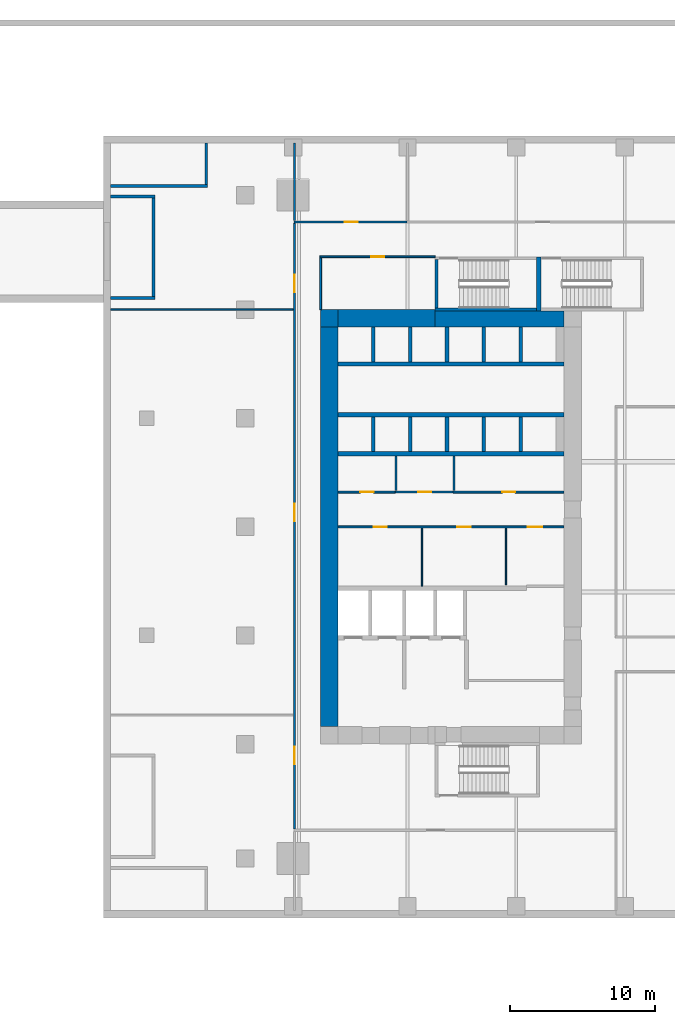
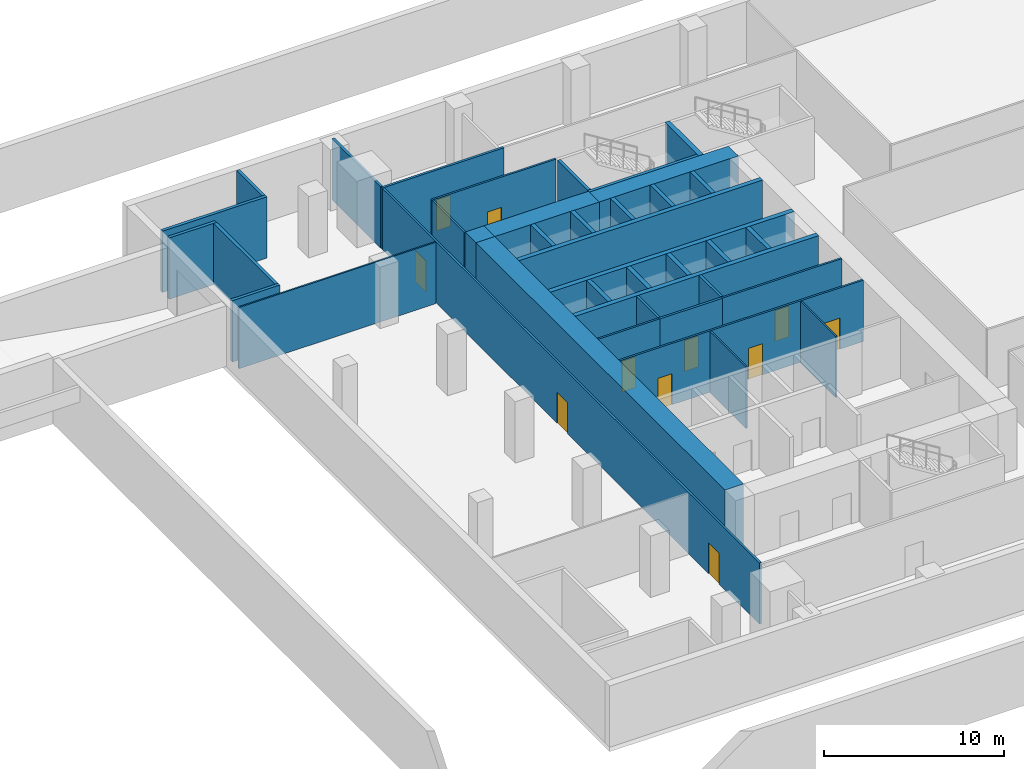
# One storey, part 4 of 11: 39 walls, 11 doors, 11 openings.
"""IFC4 building model written with IfcOpenShell, lengths in metres."""

import ifcopenshell
import ifcopenshell.guid

model = None  # the IFC model being written
_history = None  # IfcOwnerHistory: only IFC2X3 demands one
_inside = {}  # id of a spatial element -> (the spatial element, [elements in it])
_under = {}  # id of a project, library or spatial element -> (it, [spatial elements below it])
_declared = {}  # id of a project -> (the project, [libraries it declares])
_typed = {}  # id of a type object -> (the type object, [elements of that type])
_made_of = {}  # id of a material, layer set ... -> (it, [elements and type objects made of it])


def new_model(schema):
    """Start an empty IFC model of exactly this schema.

    Asked for "IFC4X3", IfcOpenShell would pick the latest addendum, in which some entities
    have other attributes; the version numbers below select the first issue.
    IFC2X3 requires an IfcOwnerHistory on every rooted entity: one is made here for all.
    """
    global model, _history
    if schema == "IFC4X3":
        model = ifcopenshell.file(schema_version=(4, 3, 0, 0))
    else:
        model = ifcopenshell.file(schema=schema)
    _inside.clear()
    _under.clear()
    _declared.clear()
    _typed.clear()
    _made_of.clear()
    _history = None
    if model.schema == "IFC2X3":
        org = make("IfcOrganization", Name="unknown")
        user = make(
            "IfcPersonAndOrganization",
            ThePerson=make("IfcPerson", FamilyName="unknown"),
            TheOrganization=org,
        )
        app = make(
            "IfcApplication",
            ApplicationDeveloper=org,
            Version="unknown",
            ApplicationFullName="unknown",
            ApplicationIdentifier="unknown",
        )
        _history = make(
            "IfcOwnerHistory",
            OwningUser=user,
            OwningApplication=app,
            ChangeAction="ADDED",
            CreationDate=0,
        )
    return model


def make(cls, **values):
    """One entity of the class cls with the attributes given. An attribute that is None is left unset."""
    return model.create_entity(
        cls, **{name: value for name, value in values.items() if value is not None}
    )


def rooted(cls, **values):
    """An entity with a GlobalId (a new one), such as an element, a storey or a relation."""
    return make(cls, GlobalId=ifcopenshell.guid.new(), OwnerHistory=_history, **values)


def si_unit(unit_type, name, prefix=None):
    """IfcSIUnit, for example si_unit("LENGTHUNIT", "METRE", prefix="MILLI")."""
    return make("IfcSIUnit", UnitType=unit_type, Prefix=prefix, Name=name)


def assignment(units):
    """IfcUnitAssignment: the units of a project."""
    return None if units is None else make("IfcUnitAssignment", Units=units)


def point(xyz):
    """IfcCartesianPoint."""
    return None if xyz is None else make("IfcCartesianPoint", Coordinates=xyz)


def direction(xyz):
    """IfcDirection."""
    return None if xyz is None else make("IfcDirection", DirectionRatios=xyz)


def frame(location, z_axis=None, x_axis=None):
    """IfcAxis2Placement3D, a coordinate frame: its origin and axes. An axis left out is left unset."""
    return make(
        "IfcAxis2Placement3D",
        Location=point(location),
        Axis=direction(z_axis),
        RefDirection=direction(x_axis),
    )


def frame_2d(location, x_axis=None):
    """IfcAxis2Placement2D, a coordinate frame in the plane: its origin and x axis."""
    return make(
        "IfcAxis2Placement2D", Location=point(location), RefDirection=direction(x_axis)
    )


def origin():
    """The frame at (0, 0, 0) with its axes left unset."""
    return frame((0.0, 0.0, 0.0))


def place(relative_to, where):
    """IfcLocalPlacement: puts the frame where relative to a parent placement (None: the world)."""
    return make(
        "IfcLocalPlacement", PlacementRelTo=relative_to, RelativePlacement=where
    )


def context(
    kind, dimensions, precision=None, world=None, true_north=None, identifier=None
):
    """IfcGeometricRepresentationContext, for example the 3D "Model" context."""
    return make(
        "IfcGeometricRepresentationContext",
        ContextIdentifier=identifier,
        ContextType=kind,
        CoordinateSpaceDimension=dimensions,
        Precision=precision,
        WorldCoordinateSystem=world,
        TrueNorth=true_north,
    )


def subcontext(parent, identifier, kind, view, scale=None):
    """IfcGeometricRepresentationSubContext, for example "Body" below "Model"."""
    return make(
        "IfcGeometricRepresentationSubContext",
        ContextIdentifier=identifier,
        ContextType=kind,
        ParentContext=parent,
        TargetScale=scale,
        TargetView=view,
    )


def project(units=None, contexts=None):
    """IfcProject with its units and contexts."""
    return rooted(
        "IfcProject",
        Name="project",
        RepresentationContexts=contexts,
        UnitsInContext=assignment(units),
    )


def spatial(cls, under=None, at=None, **own):
    """A site, building, storey or space (cls), placed at a placement, below another one or the project."""
    s = rooted(cls, ObjectPlacement=at, **own)
    if under is not None:
        _under.setdefault(under.id(), (under, []))[1].append(s)
    return s


def profile(cls, at=None, kind="AREA", **sizes):
    """A parametric profile (cls). Its sizes go by their IFC names, for example OverallWidth=200.0."""
    return make(cls, ProfileType=kind, Position=at, **sizes)


def rectangle(**sizes):
    """IfcRectangleProfileDef."""
    return profile("IfcRectangleProfileDef", **sizes)


def extrude(swept, where, along, depth):
    """IfcExtrudedAreaSolid: the profile swept, set in the frame where, extruded along a direction by depth."""
    return make(
        "IfcExtrudedAreaSolid",
        SweptArea=swept,
        Position=where,
        ExtrudedDirection=direction(along),
        Depth=depth,
    )


def shape(context_of_items, identifier, shape_type, items):
    """IfcShapeRepresentation: the items that make up one representation, for example the "Body"."""
    return make(
        "IfcShapeRepresentation",
        ContextOfItems=context_of_items,
        RepresentationIdentifier=identifier,
        RepresentationType=shape_type,
        Items=items,
    )


def source(mapping_origin, context_of_items, identifier, shape_type, items):
    """IfcRepresentationMap: a shape defined once, which mapped items show again and again."""
    return make(
        "IfcRepresentationMap",
        MappingOrigin=mapping_origin,
        MappedRepresentation=shape(context_of_items, identifier, shape_type, items),
    )


def transform(
    local_origin,
    x_axis=None,
    y_axis=None,
    z_axis=None,
    scale=None,
    scale2=None,
    scale3=None,
    uniform=True,
):
    """IfcCartesianTransformationOperator3D, or its non-uniform kind. x_axis, y_axis, z_axis: its Axis1, 2, 3."""
    if uniform:
        return make(
            "IfcCartesianTransformationOperator3D",
            Axis1=direction(x_axis),
            Axis2=direction(y_axis),
            LocalOrigin=point(local_origin),
            Scale=scale,
            Axis3=direction(z_axis),
        )
    return make(
        "IfcCartesianTransformationOperator3DnonUniform",
        Axis1=direction(x_axis),
        Axis2=direction(y_axis),
        LocalOrigin=point(local_origin),
        Scale=scale,
        Axis3=direction(z_axis),
        Scale2=scale2,
        Scale3=scale3,
    )


def mapped(mapping_source, mapping_target):
    """IfcMappedItem: shows the shape of a source again, moved by a transform."""
    return make(
        "IfcMappedItem", MappingSource=mapping_source, MappingTarget=mapping_target
    )


def material(Name=None, Category=None):
    """IfcMaterial."""
    return make("IfcMaterial", Name=Name, Category=Category)


def layer(
    of_material, thickness, ventilated=None, Name=None, Category=None, Priority=None
):
    """IfcMaterialLayer: one layer of a wall or slab, of a material (None: an air gap)."""
    return make(
        "IfcMaterialLayer",
        Material=of_material,
        LayerThickness=thickness,
        IsVentilated=ventilated,
        Name=Name,
        Category=Category,
        Priority=Priority,
    )


def layer_set(layers, Name=None):
    """IfcMaterialLayerSet."""
    return make("IfcMaterialLayerSet", MaterialLayers=layers, LayerSetName=Name)


def made_of(thing, what):
    """Note that an element or type object is made of a material, layer set ...; save() writes the relation."""
    if what is not None:
        _made_of.setdefault(what.id(), (what, []))[1].append(thing)
    return thing


def type_object(cls, material=None, **own):
    """A type object (cls), such as IfcWallType, which elements share."""
    return made_of(rooted(cls, **own), material)


def element(
    cls,
    number,
    at=None,
    inside=None,
    cuts=None,
    type_object=None,
    material=None,
    context=None,
    identifier="Body",
    shape_type=None,
    held_by="IfcProductDefinitionShape",
    body=None,
    shapes=None,
    **own,
):
    """One element of the class cls, such as IfcWall. Its Tag is "e" and its number.

    at: its placement. inside: the storey or other place that contains it. cuts: it is an
    opening in that element (IfcRelVoidsElement). A single representation is given by context,
    identifier, shape_type and body (its items); several are given by shapes. held_by: the class
    of the entity that holds the representations. save() writes the other relations.
    """
    e = rooted(cls, Tag="e%d" % number, ObjectPlacement=at, **own)
    if body is not None:
        shapes = [shape(context, identifier, shape_type, body)]
    if shapes is not None:
        e.Representation = make(held_by, Representations=shapes)
    if inside is not None:
        _inside.setdefault(inside.id(), (inside, []))[1].append(e)
    if cuts is not None:
        rooted(
            "IfcRelVoidsElement", RelatingBuildingElement=cuts, RelatedOpeningElement=e
        )
    if type_object is not None:
        _typed.setdefault(type_object.id(), (type_object, []))[1].append(e)
    return made_of(e, material)


def fill(opening, filler):
    """IfcRelFillsElement: the door or window that sits in an opening."""
    return rooted(
        "IfcRelFillsElement",
        RelatingOpeningElement=opening,
        RelatedBuildingElement=filler,
    )


def aggregate(whole, parts):
    """IfcRelAggregates: a whole, such as a stair, and the parts it consists of."""
    return rooted("IfcRelAggregates", RelatingObject=whole, RelatedObjects=parts)


def save(model, path):
    """Write the relations noted so far, then the file.

    IfcRelAggregates (storeys below a building ...), IfcRelContainedInSpatialStructure (elements
    in a storey), IfcRelDefinesByType, IfcRelAssociatesMaterial and IfcRelDeclares: one each for
    every whole, place, type object, material and project.
    """
    for whole, parts in _under.values():
        aggregate(whole, parts)
    for where, things in _inside.values():
        rooted(
            "IfcRelContainedInSpatialStructure",
            RelatedElements=things,
            RelatingStructure=where,
        )
    for kind, things in _typed.values():
        rooted("IfcRelDefinesByType", RelatedObjects=things, RelatingType=kind)
    for what, things in _made_of.values():
        rooted("IfcRelAssociatesMaterial", RelatedObjects=things, RelatingMaterial=what)
    for by, libraries in _declared.values():
        rooted("IfcRelDeclares", RelatingContext=by, RelatedDefinitions=libraries)
    model.write(path)


model = new_model("IFC4")

# Units and contexts
model_context = context("Model", 3, precision=1e-05, world=origin(), true_north=direction((0.0, 1.0)))
body_context = subcontext(model_context, "Body", "Model", "MODEL_VIEW")
ifc_project = project(units=[si_unit("LENGTHUNIT", "METRE"), si_unit("AREAUNIT", "SQUARE_METRE"), si_unit("VOLUMEUNIT", "CUBIC_METRE"), si_unit("PLANEANGLEUNIT", "RADIAN"), si_unit("MASSUNIT", "GRAM", prefix="KILO")], contexts=[model_context])

# Site, building, storey
site_placement = place(None, origin())
site = spatial("IfcSite", under=ifc_project, at=site_placement, CompositionType="ELEMENT")
building_placement = place(site_placement, origin())
building = spatial("IfcBuilding", under=site, at=building_placement, Name="Khomas Fold Tower", CompositionType="ELEMENT")
storey_placement = place(building_placement, frame((0.0, 0.0, -4.5)))
storey = spatial("IfcBuildingStorey", under=building, at=storey_placement, Name="B1", CompositionType="ELEMENT", Elevation=-4.5)

# Walls
ifc_material_1 = material(Name="Concrete C70/85", Category="concrete")
ifc_layer_1 = layer(ifc_material_1, 1.199951171875)
ifc_layer_set_1 = layer_set([ifc_layer_1], Name="Concrete C70/85")
wall_type_1 = type_object("IfcWallType", Name="Core wall 1200", PredefinedType="SHEAR", material=ifc_layer_set_1)
shared_shape_1 = source(origin(), body_context, "Body", "SweptSolid", [
    extrude(rectangle(XDim=6.699951171875, YDim=1.199951171875, at=frame_2d((3.35009765625, 0.0))), origin(), (0.0, 0.0, 1.0), 4.14990234375),
])
wall_1_placement = place(storey_placement, frame((7.199951171875, 41.39990234375, 0.0), z_axis=(0.0, 0.0, 1.0), x_axis=(1.0, 0.0, 0.0)))
element("IfcWall", 1, at=wall_1_placement, inside=storey, type_object=wall_type_1, Name="Core wall CW-L-N-B2", PredefinedType="SHEAR", context=body_context, shape_type="MappedRepresentation", body=[
    mapped(shared_shape_1, transform((0.0, 0.0, 0.0))),
])
ifc_material_2 = material(Name="Concrete C70/85", Category="concrete")
ifc_layer_2 = layer(ifc_material_2, 1.10009765625)
ifc_layer_set_2 = layer_set([ifc_layer_2], Name="Concrete C70/85")
wall_type_2 = type_object("IfcWallType", Name="Core wall 1100", PredefinedType="SHEAR", material=ifc_layer_set_2)
shared_shape_2 = source(origin(), body_context, "Body", "SweptSolid", [
    extrude(rectangle(XDim=8.900146484375, YDim=1.10009765625, at=frame_2d((4.4501953125, 0.0))), origin(), (0.0, 0.0, 1.0), 4.14990234375),
])
wall_2_placement = place(storey_placement, frame((13.89990234375, 41.35009765625, 0.0), z_axis=(0.0, 0.0, 1.0), x_axis=(1.0, 0.0, 0.0)))
element("IfcWall", 2, at=wall_2_placement, inside=storey, type_object=wall_type_2, Name="Core wall CW-L-N-B2-1", PredefinedType="SHEAR", context=body_context, shape_type="MappedRepresentation", body=[
    mapped(shared_shape_2, transform((0.0, 0.0, 0.0))),
])
ifc_material_3 = material(Name="Concrete C70/85", Category="concrete")
ifc_layer_3 = layer(ifc_material_3, 1.199951171875)
ifc_layer_set_3 = layer_set([ifc_layer_3], Name="Concrete C70/85")
wall_type_3 = type_object("IfcWallType", Name="Core corner wall 1200", PredefinedType="SHEAR", material=ifc_layer_set_3)
shared_shape_3 = source(origin(), body_context, "Body", "SweptSolid", [
    extrude(rectangle(XDim=1.199951171875, YDim=1.199951171875, at=frame_2d((0.60009765625, 0.0))), origin(), (0.0, 0.0, 1.0), 4.14990234375),
])
wall_3_placement = place(storey_placement, frame((6.0, 41.39990234375, 0.0), z_axis=(0.0, 0.0, 1.0), x_axis=(1.0, 0.0, 0.0)))
element("IfcWall", 3, at=wall_3_placement, inside=storey, type_object=wall_type_3, Name="Core wall CW-L-NW-B2", PredefinedType="SHEAR", context=body_context, shape_type="MappedRepresentation", body=[
    mapped(shared_shape_3, transform((0.0, 0.0, 0.0))),
])
shared_shape_4 = source(origin(), body_context, "Body", "SweptSolid", [
    extrude(rectangle(XDim=27.60009765625, YDim=1.199951171875, at=frame_2d((13.800048828125, 0.0))), origin(), (0.0, 0.0, 1.0), 4.14990234375),
])
wall_4_placement = place(storey_placement, frame((6.60009765625, 13.199951171875, 0.0), z_axis=(0.0, 0.0, 1.0), x_axis=(0.0, 1.0, 0.0)))
element("IfcWall", 4, at=wall_4_placement, inside=storey, type_object=wall_type_1, Name="Core wall CW-L-W-B2", PredefinedType="SHEAR", context=body_context, shape_type="MappedRepresentation", body=[
    mapped(shared_shape_4, transform((0.0, 0.0, 0.0))),
])
ifc_material_4 = material(Name="Concrete C50/60", Category="concrete")
ifc_layer_4 = layer(ifc_material_4, 0.199951171875)
ifc_layer_set_4 = layer_set([ifc_layer_4], Name="Concrete C50/60")
wall_type_4 = type_object("IfcWallType", Name="Stair wall 200", PredefinedType="SHEAR", material=ifc_layer_set_4)
shared_shape_5 = source(origin(), body_context, "Body", "SweptSolid", [
    extrude(rectangle(XDim=7.0, YDim=0.199951171875, at=frame_2d((3.5, 0.0))), origin(), (0.0, 0.0, 1.0), 4.14990234375),
])
wall_5_placement = place(storey_placement, frame((13.89990234375, 42.0, 0.0), z_axis=(0.0, 0.0, 1.0), x_axis=(1.0, 0.0, 0.0)))
element("IfcWall", 5, at=wall_5_placement, inside=storey, type_object=wall_type_4, Name="Stair wall SW-ST1-S", PredefinedType="SHEAR", context=body_context, shape_type="MappedRepresentation", body=[
    mapped(shared_shape_5, transform((0.0, 0.0, 0.0))),
])
ifc_material_5 = material(Name="Concrete C50/60", Category="concrete")
ifc_layer_5 = layer(ifc_material_5, 0.300048828125)
ifc_layer_set_5 = layer_set([ifc_layer_5], Name="Concrete C50/60")
wall_type_5 = type_object("IfcWallType", Name="Stair wall 300", PredefinedType="SHEAR", material=ifc_layer_set_5)
shared_shape_6 = source(origin(), body_context, "Body", "SweptSolid", [
    extrude(rectangle(XDim=3.75, YDim=0.300048828125, at=frame_2d((1.875, 0.0))), origin(), (0.0, 0.0, 1.0), 4.14990234375),
])
wall_6_placement = place(storey_placement, frame((21.050048828125, 41.89990234375, 0.0), z_axis=(0.0, 0.0, 1.0), x_axis=(0.0, 1.0, 0.0)))
element("IfcWall", 6, at=wall_6_placement, inside=storey, type_object=wall_type_5, Name="Stair wall SW-ST1-E", PredefinedType="SHEAR", context=body_context, shape_type="MappedRepresentation", body=[
    mapped(shared_shape_6, transform((0.0, 0.0, 0.0))),
])
shared_shape_7 = source(origin(), body_context, "Body", "SweptSolid", [
    extrude(rectangle(XDim=3.349853515625, YDim=0.199951171875, at=frame_2d((1.6748046875, 0.0))), origin(), (0.0, 0.0, 1.0), 4.14990234375),
])
wall_7_placement = place(storey_placement, frame((14.0, 42.10009765625, 0.0), z_axis=(0.0, 0.0, 1.0), x_axis=(0.0, 1.0, 0.0)))
element("IfcWall", 7, at=wall_7_placement, inside=storey, type_object=wall_type_4, Name="Stair wall SW-ST1-W", PredefinedType="SHEAR", context=body_context, shape_type="MappedRepresentation", body=[
    mapped(shared_shape_7, transform((0.0, 0.0, 0.0))),
])
ifc_material_6 = material(Name="Concrete C50/60", Category="concrete")
ifc_layer_6 = layer(ifc_material_6, 0.300048828125)
ifc_layer_set_6 = layer_set([ifc_layer_6], Name="Concrete C50/60")
wall_type_6 = type_object("IfcWallType", Name="Shaft wall 300", PredefinedType="STANDARD", material=ifc_layer_set_6)
shared_shape_8 = source(origin(), body_context, "Body", "SweptSolid", [
    extrude(rectangle(XDim=15.60009765625, YDim=0.300048828125, at=frame_2d((7.800048828125, 0.0))), origin(), (0.0, 0.0, 1.0), 4.14990234375),
])
for number, where, z_axis, x_axis, name in (
    (8, (7.199951171875, 32.050048828125, 0.0), (0.0, 0.0, 1.0), (1.0, 0.0, 0.0), "Core wall SW-HRN-B"),
    (9, (7.199951171875, 38.25, 0.0), (0.0, 0.0, 1.0), (1.0, 0.0, 0.0), "Core wall SW-LRN-F"),
    (10, (7.199951171875, 34.75, 0.0), (0.0, 0.0, 1.0), (1.0, 0.0, 0.0), "Core wall SW-LRS-F"),
):
    element("IfcWall", number, at=place(storey_placement, frame(where, z_axis=z_axis, x_axis=x_axis)), inside=storey, type_object=wall_type_6, Name=name, PredefinedType="STANDARD", context=body_context, shape_type="MappedRepresentation", body=[
        mapped(shared_shape_8, transform((0.0, 0.0, 0.0))),
    ])
ifc_material_7 = material(Name="Concrete C50/60", Category="concrete")
ifc_layer_7 = layer(ifc_material_7, 0.25)
ifc_layer_set_7 = layer_set([ifc_layer_7], Name="Concrete C50/60")
wall_type_7 = type_object("IfcWallType", Name="Shaft wall 250", PredefinedType="STANDARD", material=ifc_layer_set_7)
shared_shape_9 = source(origin(), body_context, "Body", "SweptSolid", [
    extrude(rectangle(XDim=2.400146484375, YDim=0.25, at=frame_2d((1.2001953125, 0.0))), origin(), (0.0, 0.0, 1.0), 4.14990234375),
])
for number, where, z_axis, x_axis, name in (
    (11, (9.625, 38.39990234375, 0.0), (0.0, 0.0, 1.0), (0.0, 1.0, 0.0), "Core wall SW-LRN-P1"),
    (12, (12.175048828125, 38.39990234375, 0.0), (0.0, 0.0, 1.0), (0.0, 1.0, 0.0), "Core wall SW-LRN-P2"),
    (13, (14.72509765625, 38.39990234375, 0.0), (0.0, 0.0, 1.0), (0.0, 1.0, 0.0), "Core wall SW-LRN-P3"),
    (14, (17.27490234375, 38.39990234375, 0.0), (0.0, 0.0, 1.0), (0.0, 1.0, 0.0), "Core wall SW-LRN-P4"),
    (15, (19.824951171875, 38.39990234375, 0.0), (0.0, 0.0, 1.0), (0.0, 1.0, 0.0), "Core wall SW-LRN-P5"),
    (16, (9.625, 32.199951171875, 0.0), (0.0, 0.0, 1.0), (0.0, 1.0, 0.0), "Core wall SW-LRS-P1"),
    (17, (12.175048828125, 32.199951171875, 0.0), (0.0, 0.0, 1.0), (0.0, 1.0, 0.0), "Core wall SW-LRS-P2"),
    (18, (14.72509765625, 32.199951171875, 0.0), (0.0, 0.0, 1.0), (0.0, 1.0, 0.0), "Core wall SW-LRS-P3"),
    (19, (17.27490234375, 32.199951171875, 0.0), (0.0, 0.0, 1.0), (0.0, 1.0, 0.0), "Core wall SW-LRS-P4"),
    (20, (19.824951171875, 32.199951171875, 0.0), (0.0, 0.0, 1.0), (0.0, 1.0, 0.0), "Core wall SW-LRS-P5"),
):
    element("IfcWall", number, at=place(storey_placement, frame(where, z_axis=z_axis, x_axis=x_axis)), inside=storey, type_object=wall_type_7, Name=name, PredefinedType="STANDARD", context=body_context, shape_type="MappedRepresentation", body=[
        mapped(shared_shape_9, transform((0.0, 0.0, 0.0))),
    ])

# Wall, openings, doors
ifc_material_8 = material(Name="Plasterboard partition")
ifc_layer_8 = layer(ifc_material_8, 0.125)
ifc_layer_set_8 = layer_set([ifc_layer_8], Name="Plasterboard partition")
wall_type_8 = type_object("IfcWallType", Name="Partition PW2 125", PredefinedType="PARTITIONING", material=ifc_layer_set_8)
shared_shape_10 = source(origin(), body_context, "Body", "SweptSolid", [
    extrude(rectangle(XDim=41.800048828125, YDim=0.125, at=frame_2d((20.89990234375, 0.0))), origin(), (0.0, 0.0, 1.0), 4.14990234375),
])
wall_8_placement = place(storey_placement, frame((4.199951171875, 6.14990234375, 0.0), z_axis=(0.0, 0.0, 1.0), x_axis=(0.0, 1.0, 0.0)))
wall_8 = element("IfcWall", 21, at=wall_8_placement, inside=storey, type_object=wall_type_8, Name="Partition", PredefinedType="PARTITIONING", context=body_context, shape_type="MappedRepresentation", body=[
    mapped(shared_shape_10, transform((0.0, 0.0, 0.0))),
])
shared_shape_11 = source(origin(), body_context, "Body", "SweptSolid", [
    extrude(rectangle(XDim=1.199951171875, YDim=2.10009765625, at=frame_2d((0.60009765625, 1.050048828125))), frame((0.0, 0.072509765625, 0.0), z_axis=(0.0, -1.0, 0.0), x_axis=(1.0, 0.0, 0.0)), (0.0, 0.0, 1.0), 0.14501953125),
])
opening_1_placement = place(wall_8_placement, frame((4.449951171875, 0.0, 0.0)))
opening_1 = element("IfcOpeningElement", 22, at=opening_1_placement, cuts=wall_8, Name="Opening 0001", PredefinedType="OPENING", context=body_context, shape_type="MappedRepresentation", body=[
    mapped(shared_shape_11, transform((0.0, 0.0, 0.0))),
])
opening_2_placement = place(wall_8_placement, frame((21.25, 0.0, 0.0)))
opening_2 = element("IfcOpeningElement", 23, at=opening_2_placement, cuts=wall_8, Name="Opening 0013", PredefinedType="OPENING", context=body_context, shape_type="MappedRepresentation", body=[
    mapped(shared_shape_11, transform((0.0, 0.0, 0.0))),
])
opening_3_placement = place(wall_8_placement, frame((37.050048828125, 0.0, 0.0)))
opening_3 = element("IfcOpeningElement", 24, at=opening_3_placement, cuts=wall_8, Name="Opening 0001", PredefinedType="OPENING", context=body_context, shape_type="MappedRepresentation", body=[
    mapped(shared_shape_11, transform((0.0, 0.0, 0.0))),
])
ifc_material_9 = material(Name="Timber door leaf", Category="wood")
door_type_1 = type_object("IfcDoorType", Name="Door 1200x2100 right-hand", OperationType="SINGLE_SWING_RIGHT", PredefinedType="DOOR", material=ifc_material_9)
shared_shape_12 = source(origin(), body_context, "Body", "SweptSolid", [
    extrude(rectangle(XDim=1.199951171875, YDim=2.10009765625, at=frame_2d((0.60009765625, 1.050048828125))), frame((0.0, 0.02490234375, 0.0), z_axis=(0.0, -1.0, 0.0), x_axis=(1.0, 0.0, 0.0)), (0.0, 0.0, 1.0), 0.050048828125),
])
door_1_placement = place(opening_1_placement, origin())
door_1 = element("IfcDoor", 25, at=door_1_placement, inside=storey, type_object=door_type_1, Name="Door", OperationType="SINGLE_SWING_RIGHT", OverallHeight=2.10009765625, OverallWidth=1.199951171875, PredefinedType="DOOR", context=body_context, shape_type="MappedRepresentation", body=[
    mapped(shared_shape_12, transform((0.0, 0.0, 0.0))),
])
fill(opening_1, door_1)
ifc_material_10 = material(Name="Timber door leaf", Category="wood")
door_type_2 = type_object("IfcDoorType", Name="Door 1200x2100 left-hand", OperationType="SINGLE_SWING_LEFT", PredefinedType="DOOR", material=ifc_material_10)
door_2_placement = place(opening_2_placement, origin())
door_2 = element("IfcDoor", 26, at=door_2_placement, inside=storey, type_object=door_type_2, Name="Door", OperationType="SINGLE_SWING_LEFT", OverallHeight=2.10009765625, OverallWidth=1.199951171875, PredefinedType="DOOR", context=body_context, shape_type="MappedRepresentation", body=[
    mapped(shared_shape_12, transform((0.0, 0.0, 0.0))),
])
fill(opening_2, door_2)
door_3_placement = place(opening_3_placement, origin())
door_3 = element("IfcDoor", 27, at=door_3_placement, inside=storey, type_object=door_type_1, Name="Door", OperationType="SINGLE_SWING_RIGHT", OverallHeight=2.10009765625, OverallWidth=1.199951171875, PredefinedType="DOOR", context=body_context, shape_type="MappedRepresentation", body=[
    mapped(shared_shape_12, transform((0.0, 0.0, 0.0))),
])
fill(opening_3, door_3)

# Walls
ifc_material_11 = material(Name="Plasterboard partition")
ifc_layer_9 = layer(ifc_material_11, 0.10009765625)
ifc_layer_set_9 = layer_set([ifc_layer_9], Name="Plasterboard partition")
wall_type_9 = type_object("IfcWallType", Name="Partition PW1 100", PredefinedType="PARTITIONING", material=ifc_layer_set_9)
shared_shape_13 = source(origin(), body_context, "Body", "SweptSolid", [
    extrude(rectangle(XDim=12.60009765625, YDim=0.10009765625, at=frame_2d((6.300048828125, 0.0))), origin(), (0.0, 0.0, 1.0), 4.14990234375),
])
wall_9_placement = place(storey_placement, frame((-8.5, 42.0, 0.0), z_axis=(0.0, 0.0, 1.0), x_axis=(1.0, 0.0, 0.0)))
element("IfcWall", 28, at=wall_9_placement, inside=storey, type_object=wall_type_9, Name="Partition", PredefinedType="PARTITIONING", context=body_context, shape_type="MappedRepresentation", body=[
    mapped(shared_shape_13, transform((0.0, 0.0, 0.0))),
])
shared_shape_14 = source(origin(), body_context, "Body", "SweptSolid", [
    extrude(rectangle(XDim=4.0, YDim=0.10009765625, at=frame_2d((2.0, 0.0))), origin(), (0.0, 0.0, 1.0), 4.14990234375),
])
wall_10_placement = place(storey_placement, frame((13.0, 22.89990234375, 0.0), z_axis=(0.0, 0.0, 1.0), x_axis=(0.0, 1.0, 0.0)))
element("IfcWall", 29, at=wall_10_placement, inside=storey, type_object=wall_type_9, Name="Partition", PredefinedType="PARTITIONING", context=body_context, shape_type="MappedRepresentation", body=[
    mapped(shared_shape_14, transform((0.0, 0.0, 0.0))),
])
shared_shape_15 = source(origin(), body_context, "Body", "SweptSolid", [
    extrude(rectangle(XDim=3.89990234375, YDim=0.10009765625, at=frame_2d((1.949951171875, 0.0))), origin(), (0.0, 0.0, 1.0), 4.14990234375),
])
wall_11_placement = place(storey_placement, frame((18.800048828125, 23.0, 0.0), z_axis=(0.0, 0.0, 1.0), x_axis=(0.0, 1.0, 0.0)))
element("IfcWall", 30, at=wall_11_placement, inside=storey, type_object=wall_type_9, Name="Partition", PredefinedType="PARTITIONING", context=body_context, shape_type="MappedRepresentation", body=[
    mapped(shared_shape_15, transform((0.0, 0.0, 0.0))),
])

# Wall, openings, doors
shared_shape_16 = source(origin(), body_context, "Body", "SweptSolid", [
    extrude(rectangle(XDim=15.60009765625, YDim=0.125, at=frame_2d((7.800048828125, 0.0))), origin(), (0.0, 0.0, 1.0), 4.14990234375),
])
wall_12_placement = place(storey_placement, frame((7.199951171875, 27.0, 0.0), z_axis=(0.0, 0.0, 1.0), x_axis=(1.0, 0.0, 0.0)))
wall_12 = element("IfcWall", 31, at=wall_12_placement, inside=storey, type_object=wall_type_8, Name="Partition", PredefinedType="PARTITIONING", context=body_context, shape_type="MappedRepresentation", body=[
    mapped(shared_shape_16, transform((0.0, 0.0, 0.0))),
])
shared_shape_17 = source(origin(), body_context, "Body", "SweptSolid", [
    extrude(rectangle(XDim=0.89990234375, YDim=2.10009765625, at=frame_2d((0.449951171875, 1.050048828125))), frame((0.0, 0.072509765625, 0.0), z_axis=(0.0, -1.0, 0.0), x_axis=(1.0, 0.0, 0.0)), (0.0, 0.0, 1.0), 0.14501953125),
])
opening_4_placement = place(wall_12_placement, frame((2.449951171875, 0.0, 0.0)))
opening_4 = element("IfcOpeningElement", 32, at=opening_4_placement, cuts=wall_12, Name="Opening 0005", PredefinedType="OPENING", context=body_context, shape_type="MappedRepresentation", body=[
    mapped(shared_shape_17, transform((0.0, 0.0, 0.0))),
])
opening_5_placement = place(wall_12_placement, frame((8.25, 0.0, 0.0)))
opening_5 = element("IfcOpeningElement", 33, at=opening_5_placement, cuts=wall_12, Name="Opening 0004", PredefinedType="OPENING", context=body_context, shape_type="MappedRepresentation", body=[
    mapped(shared_shape_17, transform((0.0, 0.0, 0.0))),
])
shared_shape_18 = source(origin(), body_context, "Body", "SweptSolid", [
    extrude(rectangle(XDim=1.0, YDim=2.10009765625, at=frame_2d((0.5, 1.050048828125))), frame((0.0, 0.072509765625, 0.0), z_axis=(0.0, -1.0, 0.0), x_axis=(1.0, 0.0, 0.0)), (0.0, 0.0, 1.0), 0.14501953125),
])
opening_6_placement = place(wall_12_placement, frame((13.10009765625, 0.0, 0.0)))
opening_6 = element("IfcOpeningElement", 34, at=opening_6_placement, cuts=wall_12, Name="Opening 0014", PredefinedType="OPENING", context=body_context, shape_type="MappedRepresentation", body=[
    mapped(shared_shape_18, transform((0.0, 0.0, 0.0))),
])
ifc_material_12 = material(Name="Timber door leaf", Category="wood")
door_type_3 = type_object("IfcDoorType", Name="WC door 900x2100 left-hand", OperationType="SINGLE_SWING_LEFT", PredefinedType="DOOR", material=ifc_material_12)
shared_shape_19 = source(origin(), body_context, "Body", "SweptSolid", [
    extrude(rectangle(XDim=0.89990234375, YDim=2.10009765625, at=frame_2d((0.449951171875, 1.050048828125))), frame((0.0, 0.02490234375, 0.0), z_axis=(0.0, -1.0, 0.0), x_axis=(1.0, 0.0, 0.0)), (0.0, 0.0, 1.0), 0.050048828125),
])
door_4_placement = place(opening_4_placement, origin())
door_4 = element("IfcDoor", 35, at=door_4_placement, inside=storey, type_object=door_type_3, Name="WC door", OperationType="SINGLE_SWING_LEFT", OverallHeight=2.10009765625, OverallWidth=0.89990234375, PredefinedType="DOOR", context=body_context, shape_type="MappedRepresentation", body=[
    mapped(shared_shape_19, transform((0.0, 0.0, 0.0))),
])
fill(opening_4, door_4)
ifc_material_13 = material(Name="Timber door leaf", Category="wood")
door_type_4 = type_object("IfcDoorType", Name="WC door 900x2100 right-hand", OperationType="SINGLE_SWING_RIGHT", PredefinedType="DOOR", material=ifc_material_13)
door_5_placement = place(opening_5_placement, origin())
door_5 = element("IfcDoor", 36, at=door_5_placement, inside=storey, type_object=door_type_4, Name="WC door", OperationType="SINGLE_SWING_RIGHT", OverallHeight=2.10009765625, OverallWidth=0.89990234375, PredefinedType="DOOR", context=body_context, shape_type="MappedRepresentation", body=[
    mapped(shared_shape_19, transform((0.0, 0.0, 0.0))),
])
fill(opening_5, door_5)
ifc_material_14 = material(Name="Timber door leaf", Category="wood")
door_type_5 = type_object("IfcDoorType", Name="WC door 1000x2100 left-hand", OperationType="SINGLE_SWING_LEFT", PredefinedType="DOOR", material=ifc_material_14)
shared_shape_20 = source(origin(), body_context, "Body", "SweptSolid", [
    extrude(rectangle(XDim=1.0, YDim=2.10009765625, at=frame_2d((0.5, 1.050048828125))), frame((0.0, 0.02490234375, 0.0), z_axis=(0.0, -1.0, 0.0), x_axis=(1.0, 0.0, 0.0)), (0.0, 0.0, 1.0), 0.050048828125),
])
door_6_placement = place(opening_6_placement, origin())
door_6 = element("IfcDoor", 37, at=door_6_placement, inside=storey, type_object=door_type_5, Name="WC door", OperationType="SINGLE_SWING_LEFT", OverallHeight=2.10009765625, OverallWidth=1.0, PredefinedType="DOOR", context=body_context, shape_type="MappedRepresentation", body=[
    mapped(shared_shape_20, transform((0.0, 0.0, 0.0))),
])
fill(opening_6, door_6)

# Wall, opening, door
shared_shape_21 = source(origin(), body_context, "Body", "SweptSolid", [
    extrude(rectangle(XDim=3.949951171875, YDim=0.125, at=frame_2d((1.97509765625, 0.0))), origin(), (0.0, 0.0, 1.0), 4.14990234375),
])
wall_13_placement = place(storey_placement, frame((7.199951171875, 29.39990234375, 0.0), z_axis=(0.0, 0.0, 1.0), x_axis=(1.0, 0.0, 0.0)))
wall_13 = element("IfcWall", 38, at=wall_13_placement, inside=storey, type_object=wall_type_8, Name="Partition", PredefinedType="PARTITIONING", context=body_context, shape_type="MappedRepresentation", body=[
    mapped(shared_shape_21, transform((0.0, 0.0, 0.0))),
])
opening_7_placement = place(wall_13_placement, frame((1.550048828125, 0.0, 0.0)))
opening_7 = element("IfcOpeningElement", 39, at=opening_7_placement, cuts=wall_13, Name="Opening 0007", PredefinedType="OPENING", context=body_context, shape_type="MappedRepresentation", body=[
    mapped(shared_shape_17, transform((0.0, 0.0, 0.0))),
])
ifc_material_15 = material(Name="Timber door leaf", Category="wood")
door_type_6 = type_object("IfcDoorType", Name="Door 900x2100 left-hand", OperationType="SINGLE_SWING_LEFT", PredefinedType="DOOR", material=ifc_material_15)
door_7_placement = place(opening_7_placement, origin())
door_7 = element("IfcDoor", 40, at=door_7_placement, inside=storey, type_object=door_type_6, Name="Door", OperationType="SINGLE_SWING_LEFT", OverallHeight=2.10009765625, OverallWidth=0.89990234375, PredefinedType="DOOR", context=body_context, shape_type="MappedRepresentation", body=[
    mapped(shared_shape_19, transform((0.0, 0.0, 0.0))),
])
fill(opening_7, door_7)

ifc_material_16 = material(Name="Plasterboard fire partition")
ifc_layer_10 = layer(ifc_material_16, 0.14990234375)
ifc_layer_set_10 = layer_set([ifc_layer_10], Name="Plasterboard fire partition")
wall_type_10 = type_object("IfcWallType", Name="Plant room wall PW3 150", PredefinedType="PARTITIONING", material=ifc_layer_set_10)
shared_shape_22 = source(origin(), body_context, "Body", "SweptSolid", [
    extrude(rectangle(XDim=4.0, YDim=0.14990234375, at=frame_2d((2.0, 0.0))), origin(), (0.0, 0.0, 1.0), 4.14990234375),
])
wall_14_placement = place(storey_placement, frame((11.14990234375, 29.39990234375, 0.0), z_axis=(0.0, 0.0, 1.0), x_axis=(1.0, 0.0, 0.0)))
wall_14 = element("IfcWall", 41, at=wall_14_placement, inside=storey, type_object=wall_type_10, Name="Plant room wall", PredefinedType="PARTITIONING", context=body_context, shape_type="MappedRepresentation", body=[
    mapped(shared_shape_22, transform((0.0, 0.0, 0.0))),
])
shared_shape_23 = source(origin(), body_context, "Body", "SweptSolid", [
    extrude(rectangle(XDim=0.89990234375, YDim=2.10009765625, at=frame_2d((0.449951171875, 1.050048828125))), frame((0.0, 0.0849609375, 0.0), z_axis=(0.0, -1.0, 0.0), x_axis=(1.0, 0.0, 0.0)), (0.0, 0.0, 1.0), 0.169921875),
])
opening_8_placement = place(wall_14_placement, frame((1.60009765625, 0.0, 0.0)))
opening_8 = element("IfcOpeningElement", 42, at=opening_8_placement, cuts=wall_14, Name="Opening 0003", PredefinedType="OPENING", context=body_context, shape_type="MappedRepresentation", body=[
    mapped(shared_shape_23, transform((0.0, 0.0, 0.0))),
])
ifc_material_17 = material(Name="Steel door leaf", Category="steel")
door_type_7 = type_object("IfcDoorType", Name="Plant room door 900x2100 right-hand", OperationType="SINGLE_SWING_RIGHT", PredefinedType="DOOR", material=ifc_material_17)
door_8_placement = place(opening_8_placement, origin())
door_8 = element("IfcDoor", 43, at=door_8_placement, inside=storey, type_object=door_type_7, Name="Plant room door", OperationType="SINGLE_SWING_RIGHT", OverallHeight=2.10009765625, OverallWidth=0.89990234375, PredefinedType="DOOR", context=body_context, shape_type="MappedRepresentation", body=[
    mapped(shared_shape_19, transform((0.0, 0.0, 0.0))),
])
fill(opening_8, door_8)

shared_shape_24 = source(origin(), body_context, "Body", "SweptSolid", [
    extrude(rectangle(XDim=7.650146484375, YDim=0.125, at=frame_2d((3.8251953125, 0.0))), origin(), (0.0, 0.0, 1.0), 4.14990234375),
])
wall_15_placement = place(storey_placement, frame((15.14990234375, 29.39990234375, 0.0), z_axis=(0.0, 0.0, 1.0), x_axis=(1.0, 0.0, 0.0)))
wall_15 = element("IfcWall", 44, at=wall_15_placement, inside=storey, type_object=wall_type_8, Name="Partition", PredefinedType="PARTITIONING", context=body_context, shape_type="MappedRepresentation", body=[
    mapped(shared_shape_24, transform((0.0, 0.0, 0.0))),
])
opening_9_placement = place(wall_15_placement, frame((3.39990234375, 0.0, 0.0)))
opening_9 = element("IfcOpeningElement", 45, at=opening_9_placement, cuts=wall_15, Name="Opening 0007", PredefinedType="OPENING", context=body_context, shape_type="MappedRepresentation", body=[
    mapped(shared_shape_17, transform((0.0, 0.0, 0.0))),
])
door_9_placement = place(opening_9_placement, origin())
door_9 = element("IfcDoor", 46, at=door_9_placement, inside=storey, type_object=door_type_6, Name="Door", OperationType="SINGLE_SWING_LEFT", OverallHeight=2.10009765625, OverallWidth=0.89990234375, PredefinedType="DOOR", context=body_context, shape_type="MappedRepresentation", body=[
    mapped(shared_shape_19, transform((0.0, 0.0, 0.0))),
])
fill(opening_9, door_9)

# Walls
shared_shape_25 = source(origin(), body_context, "Body", "SweptSolid", [
    extrude(rectangle(XDim=2.39990234375, YDim=0.14990234375, at=frame_2d((1.199951171875, 0.0))), origin(), (0.0, 0.0, 1.0), 4.14990234375),
])
for number, where, z_axis, x_axis, name in (
    (47, (11.199951171875, 29.5, 0.0), (0.0, 0.0, 1.0), (0.0, 1.0, 0.0), "Plant room wall"),
    (48, (15.199951171875, 29.5, 0.0), (0.0, 0.0, 1.0), (0.0, 1.0, 0.0), "Plant room wall"),
):
    element("IfcWall", number, at=place(storey_placement, frame(where, z_axis=z_axis, x_axis=x_axis)), inside=storey, type_object=wall_type_10, Name=name, PredefinedType="PARTITIONING", context=body_context, shape_type="MappedRepresentation", body=[
        mapped(shared_shape_25, transform((0.0, 0.0, 0.0))),
    ])
shared_shape_26 = source(origin(), body_context, "Body", "SweptSolid", [
    extrude(rectangle(XDim=3.550048828125, YDim=0.125, at=frame_2d((1.77490234375, 0.0))), origin(), (0.0, 0.0, 1.0), 4.14990234375),
])
wall_16_placement = place(storey_placement, frame((6.0, 42.0, 0.0), z_axis=(0.0, 0.0, 1.0), x_axis=(0.0, 1.0, 0.0)))
element("IfcWall", 49, at=wall_16_placement, inside=storey, type_object=wall_type_8, Name="Partition", PredefinedType="PARTITIONING", context=body_context, shape_type="MappedRepresentation", body=[
    mapped(shared_shape_26, transform((0.0, 0.0, 0.0))),
])

# Wall, opening, door
shared_shape_27 = source(origin(), body_context, "Body", "SweptSolid", [
    extrude(rectangle(XDim=7.949951171875, YDim=0.125, at=frame_2d((3.97509765625, 0.0))), origin(), (0.0, 0.0, 1.0), 4.14990234375),
])
wall_17_placement = place(storey_placement, frame((5.949951171875, 45.64990234375, 0.0), z_axis=(0.0, 0.0, 1.0), x_axis=(1.0, 0.0, 0.0)))
wall_17 = element("IfcWall", 50, at=wall_17_placement, inside=storey, type_object=wall_type_8, Name="Partition", PredefinedType="PARTITIONING", context=body_context, shape_type="MappedRepresentation", body=[
    mapped(shared_shape_27, transform((0.0, 0.0, 0.0))),
])
opening_10_placement = place(wall_17_placement, frame((3.550048828125, 0.0, 0.0)))
opening_10 = element("IfcOpeningElement", 51, at=opening_10_placement, cuts=wall_17, Name="Opening 0008", PredefinedType="OPENING", context=body_context, shape_type="MappedRepresentation", body=[
    mapped(shared_shape_17, transform((0.0, 0.0, 0.0))),
])
ifc_material_18 = material(Name="Timber door leaf", Category="wood")
door_type_8 = type_object("IfcDoorType", Name="Door 900x2100 right-hand", OperationType="SINGLE_SWING_RIGHT", PredefinedType="DOOR", material=ifc_material_18)
door_10_placement = place(opening_10_placement, origin())
door_10 = element("IfcDoor", 52, at=door_10_placement, inside=storey, type_object=door_type_8, Name="Door", OperationType="SINGLE_SWING_RIGHT", OverallHeight=2.10009765625, OverallWidth=0.89990234375, PredefinedType="DOOR", context=body_context, shape_type="MappedRepresentation", body=[
    mapped(shared_shape_19, transform((0.0, 0.0, 0.0))),
])
fill(opening_10, door_10)

shared_shape_28 = source(origin(), body_context, "Body", "SweptSolid", [
    extrude(rectangle(XDim=7.800048828125, YDim=0.14990234375, at=frame_2d((3.89990234375, 0.0))), origin(), (0.0, 0.0, 1.0), 4.14990234375),
])
wall_18_placement = place(storey_placement, frame((4.14990234375, 48.050048828125, 0.0), z_axis=(0.0, 0.0, 1.0), x_axis=(1.0, 0.0, 0.0)))
wall_18 = element("IfcWall", 53, at=wall_18_placement, inside=storey, type_object=wall_type_10, Name="Plant room wall", PredefinedType="PARTITIONING", context=body_context, shape_type="MappedRepresentation", body=[
    mapped(shared_shape_28, transform((0.0, 0.0, 0.0))),
])
opening_11_placement = place(wall_18_placement, frame((3.5, 0.0, 0.0)))
opening_11 = element("IfcOpeningElement", 54, at=opening_11_placement, cuts=wall_18, Name="Opening 0002", PredefinedType="OPENING", context=body_context, shape_type="MappedRepresentation", body=[
    mapped(shared_shape_23, transform((0.0, 0.0, 0.0))),
])
ifc_material_19 = material(Name="Steel door leaf", Category="steel")
door_type_9 = type_object("IfcDoorType", Name="Plant room door 900x2100 left-hand", OperationType="SINGLE_SWING_LEFT", PredefinedType="DOOR", material=ifc_material_19)
door_11_placement = place(opening_11_placement, origin())
door_11 = element("IfcDoor", 55, at=door_11_placement, inside=storey, type_object=door_type_9, Name="Plant room door", OperationType="SINGLE_SWING_LEFT", OverallHeight=2.10009765625, OverallWidth=0.89990234375, PredefinedType="DOOR", context=body_context, shape_type="MappedRepresentation", body=[
    mapped(shared_shape_19, transform((0.0, 0.0, 0.0))),
])
fill(opening_11, door_11)

# Walls
shared_shape_29 = source(origin(), body_context, "Body", "SweptSolid", [
    extrude(rectangle(XDim=5.35009765625, YDim=0.14990234375, at=frame_2d((2.675048828125, 0.0))), origin(), (0.0, 0.0, 1.0), 4.14990234375),
])
wall_19_placement = place(storey_placement, frame((4.199951171875, 48.14990234375, 0.0), z_axis=(0.0, 0.0, 1.0), x_axis=(0.0, 1.0, 0.0)))
element("IfcWall", 56, at=wall_19_placement, inside=storey, type_object=wall_type_10, Name="Plant room wall", PredefinedType="PARTITIONING", context=body_context, shape_type="MappedRepresentation", body=[
    mapped(shared_shape_29, transform((0.0, 0.0, 0.0))),
])
ifc_material_20 = material(Name="Concrete C30/37", Category="concrete")
ifc_layer_11 = layer(ifc_material_20, 0.199951171875)
ifc_layer_set_11 = layer_set([ifc_layer_11], Name="Concrete C30/37")
wall_type_11 = type_object("IfcWallType", Name="Stair wall PW5 200", PredefinedType="PARTITIONING", material=ifc_layer_set_11)
shared_shape_30 = source(origin(), body_context, "Body", "SweptSolid", [
    extrude(rectangle(XDim=6.699951171875, YDim=0.199951171875, at=frame_2d((3.35009765625, 0.0))), origin(), (0.0, 0.0, 1.0), 4.14990234375),
])
wall_20_placement = place(storey_placement, frame((-8.5, 50.550048828125, 0.0), z_axis=(0.0, 0.0, 1.0), x_axis=(1.0, 0.0, 0.0)))
element("IfcWall", 57, at=wall_20_placement, inside=storey, type_object=wall_type_11, Name="Stair wall", PredefinedType="PARTITIONING", context=body_context, shape_type="MappedRepresentation", body=[
    mapped(shared_shape_30, transform((0.0, 0.0, 0.0))),
])
shared_shape_31 = source(origin(), body_context, "Body", "SweptSolid", [
    extrude(rectangle(XDim=2.85009765625, YDim=0.199951171875, at=frame_2d((1.425048828125, 0.0))), origin(), (0.0, 0.0, 1.0), 4.14990234375),
])
wall_21_placement = place(storey_placement, frame((-1.89990234375, 50.64990234375, 0.0), z_axis=(0.0, 0.0, 1.0), x_axis=(0.0, 1.0, 0.0)))
element("IfcWall", 58, at=wall_21_placement, inside=storey, type_object=wall_type_11, Name="Stair wall", PredefinedType="PARTITIONING", context=body_context, shape_type="MappedRepresentation", body=[
    mapped(shared_shape_31, transform((0.0, 0.0, 0.0))),
])
shared_shape_32 = source(origin(), body_context, "Body", "SweptSolid", [
    extrude(rectangle(XDim=3.050048828125, YDim=0.199951171875, at=frame_2d((1.52490234375, 0.0))), origin(), (0.0, 0.0, 1.0), 4.14990234375),
])
for number, where, z_axis, x_axis, name in (
    (59, (-8.5, 42.800048828125, 0.0), (0.0, 0.0, 1.0), (1.0, 0.0, 0.0), "Stair wall"),
    (60, (-8.5, 49.800048828125, 0.0), (0.0, 0.0, 1.0), (1.0, 0.0, 0.0), "Stair wall"),
):
    element("IfcWall", number, at=place(storey_placement, frame(where, z_axis=z_axis, x_axis=x_axis)), inside=storey, type_object=wall_type_11, Name=name, PredefinedType="PARTITIONING", context=body_context, shape_type="MappedRepresentation", body=[
        mapped(shared_shape_32, transform((0.0, 0.0, 0.0))),
    ])
shared_shape_33 = source(origin(), body_context, "Body", "SweptSolid", [
    extrude(rectangle(XDim=6.800048828125, YDim=0.199951171875, at=frame_2d((3.39990234375, 0.0))), origin(), (0.0, 0.0, 1.0), 4.14990234375),
])
wall_22_placement = place(storey_placement, frame((-5.550048828125, 42.89990234375, 0.0), z_axis=(0.0, 0.0, 1.0), x_axis=(0.0, 1.0, 0.0)))
element("IfcWall", 61, at=wall_22_placement, inside=storey, type_object=wall_type_11, Name="Stair wall", PredefinedType="PARTITIONING", context=body_context, shape_type="MappedRepresentation", body=[
    mapped(shared_shape_33, transform((0.0, 0.0, 0.0))),
])

save(model, "model.ifc")
